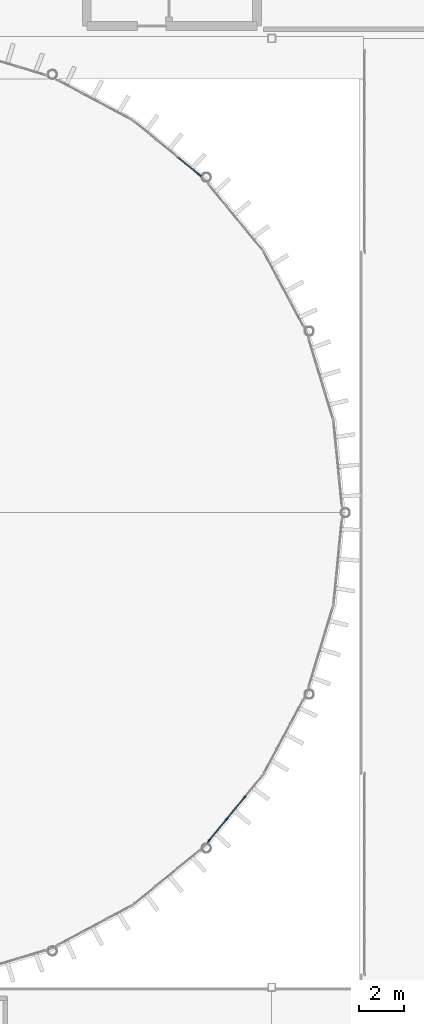
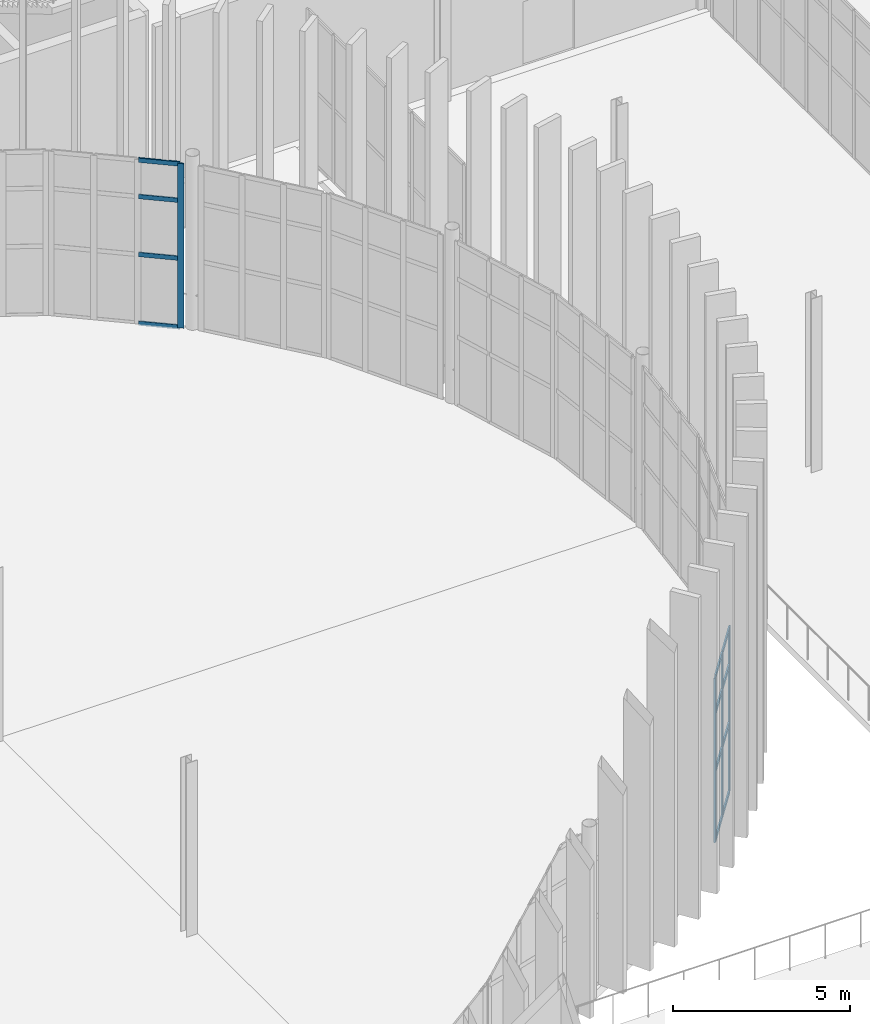
# One storey, part 56 of 139: 16 members, 2 elements without a shape of their own.
"""IFC4 building model written with IfcOpenShell, lengths in metres."""

from ifc_helpers import new_model, si_unit, direction, frame, origin, origin_2d, place, context, subcontext, project, spatial, rectangle, extrude, material, layer, layer_set, material_profile, profile_set, type_object, element, aggregate, save


model = new_model("IFC4")

# Units and contexts
model_context = context("Model", 3, precision=1e-05, world=origin(), true_north=direction((0.0, 1.0)))
body_context = subcontext(model_context, "Body", "Model", "MODEL_VIEW")
ifc_project = project(units=[si_unit("LENGTHUNIT", "METRE"), si_unit("AREAUNIT", "SQUARE_METRE"), si_unit("VOLUMEUNIT", "CUBIC_METRE"), si_unit("PLANEANGLEUNIT", "RADIAN"), si_unit("MASSUNIT", "GRAM", prefix="KILO")], contexts=[model_context])

# Site, building, storey
site_placement = place(None, origin())
site = spatial("IfcSite", under=ifc_project, at=site_placement, CompositionType="ELEMENT")
building_placement = place(site_placement, origin())
building = spatial("IfcBuilding", under=site, at=building_placement, Name="Yeouljin Market Hall", CompositionType="ELEMENT")
storey_placement = place(building_placement, origin())
storey = spatial("IfcBuildingStorey", under=building, at=storey_placement, Name="L00", CompositionType="ELEMENT", Elevation=0.0)

# Curtain wall, members
ifc_material_1 = material(Name="Thermally Broken Aluminium", Category="aluminium")
ifc_layer = layer(ifc_material_1, 0.179931640625)
ifc_layer_set = layer_set([ifc_layer], Name="Thermally Broken Aluminium")
curtain_wall_type = type_object("IfcCurtainWallType", Name="CW_ApseCurved_System", PredefinedType="USERDEFINED", material=ifc_layer_set)
curtain_wall_1_placement = place(storey_placement, origin())
curtain_wall_1 = element("IfcCurtainWall", 1, at=curtain_wall_1_placement, inside=storey, type_object=curtain_wall_type, Name="Curtain wall CW-AP-EL00-05", ObjectType="CURTAIN WALL", PredefinedType="USERDEFINED")
ifc_material_2 = material(Name="Thermally Broken Aluminium", Category="aluminium")
ifc_material_profile_1 = material_profile(ifc_material_2, rectangle(XDim=0.048095703125, YDim=0.179931640625, at=origin_2d()), Name="CW-MULL-48x180")
ifc_profile_set_1 = profile_set([ifc_material_profile_1], Name="Thermally Broken Aluminium")
member_type_1 = type_object("IfcMemberType", Name="CWMullion_48x180", PredefinedType="MULLION", material=ifc_profile_set_1)
member_1_placement = place(storey_placement, frame((157.537841796875, 44.396484375, 0.0), z_axis=(0.0, 0.0, 1.0), x_axis=(0.773017717982, -0.634384432096, 0.0)))
member_1 = element("IfcMember", 2, at=member_1_placement, type_object=member_type_1, Name="CW-03 mullion 2", PredefinedType="MULLION", context=body_context, shape_type="SweptSolid", body=[
    extrude(rectangle(XDim=0.048095703125, YDim=0.179931640625, at=origin_2d()), origin(), (0.0, 0.0, 1.0), 5.679931640625),
])
member_2_placement = place(storey_placement, frame((156.739990234375, 43.42431640625, 0.0), z_axis=(0.0, 0.0, 1.0), x_axis=(0.773017717982, -0.634384432096, 0.0)))
member_2 = element("IfcMember", 3, at=member_2_placement, type_object=member_type_1, Name="CW-03 mullion 3", PredefinedType="MULLION", context=body_context, shape_type="SweptSolid", body=[
    extrude(rectangle(XDim=0.048095703125, YDim=0.179931640625, at=origin_2d()), origin(), (0.0, 0.0, 1.0), 5.679931640625),
])
member_3_placement = place(storey_placement, frame((155.957275390625, 42.470458984375, 0.0), z_axis=(0.0, 0.0, 1.0), x_axis=(0.773017717982, -0.634384432096, 0.0)))
member_3 = element("IfcMember", 4, at=member_3_placement, type_object=member_type_1, Name="CW-03 mullion 4", PredefinedType="MULLION", context=body_context, shape_type="SweptSolid", body=[
    extrude(rectangle(XDim=0.048095703125, YDim=0.179931640625, at=origin_2d()), origin(), (0.0, 0.0, 1.0), 5.679931640625),
])

# Curtain wall, member
curtain_wall_2_placement = place(storey_placement, origin())
curtain_wall_2 = element("IfcCurtainWall", 5, at=curtain_wall_2_placement, inside=storey, type_object=curtain_wall_type, Name="Curtain wall CW-AP-EL00-13", ObjectType="CURTAIN WALL", PredefinedType="USERDEFINED")
member_4_placement = place(storey_placement, frame((155.529541015625, 71.957275390625, 0.0), z_axis=(0.0, 0.0, 1.0), x_axis=(0.634384432096, 0.773017717982, 0.0)))
member_4 = element("IfcMember", 6, at=member_4_placement, type_object=member_type_1, Name="CW-03 mullion 4", PredefinedType="MULLION", context=body_context, shape_type="SweptSolid", body=[
    extrude(rectangle(XDim=0.048095703125, YDim=0.179931640625, at=origin_2d()), origin(), (0.0, 0.0, 1.0), 5.679931640625),
])

# Member
ifc_material_3 = material(Name="Thermally Broken Aluminium", Category="aluminium")
ifc_material_profile_2 = material_profile(ifc_material_3, rectangle(XDim=0.048095703125, YDim=0.14990234375, at=origin_2d()), Name="CW-TRAN-48x150")
ifc_profile_set_2 = profile_set([ifc_material_profile_2], Name="Thermally Broken Aluminium")
member_type_2 = type_object("IfcMemberType", Name="CWTransom_48x150", PredefinedType="USERDEFINED", material=ifc_profile_set_2)
member_5_placement = place(storey_placement, frame((157.5224609375, 44.3779296875, 0.02392578125), z_axis=(-0.634369190557, -0.773030225846, 0.0), x_axis=(0.773030225846, -0.634369190557, 0.0)))
member_5 = element("IfcMember", 7, at=member_5_placement, type_object=member_type_2, Name="CW-03 transom 2.1", ObjectType="TRANSOM", PredefinedType="USERDEFINED", context=body_context, shape_type="SweptSolid", body=[
    extrude(rectangle(XDim=0.048095703125, YDim=0.14990234375, at=origin_2d()), origin(), (0.0, 0.0, 1.0), 1.209716796875),
])

member_6_placement = place(storey_placement, frame((157.5224609375, 44.3779296875, 2.39990234375), z_axis=(-0.634369190557, -0.773030225846, 0.0), x_axis=(0.773030225846, -0.634369190557, 0.0)))
member_6 = element("IfcMember", 8, at=member_6_placement, type_object=member_type_2, Name="CW-03 transom 2.2", ObjectType="TRANSOM", PredefinedType="USERDEFINED", context=body_context, shape_type="SweptSolid", body=[
    extrude(rectangle(XDim=0.048095703125, YDim=0.14990234375, at=origin_2d()), origin(), (0.0, 0.0, 1.0), 1.209716796875),
])

member_7_placement = place(storey_placement, frame((157.5224609375, 44.3779296875, 4.39990234375), z_axis=(-0.634369190557, -0.773030225846, 0.0), x_axis=(0.773030225846, -0.634369190557, 0.0)))
member_7 = element("IfcMember", 9, at=member_7_placement, type_object=member_type_2, Name="CW-03 transom 2.3", ObjectType="TRANSOM", PredefinedType="USERDEFINED", context=body_context, shape_type="SweptSolid", body=[
    extrude(rectangle(XDim=0.048095703125, YDim=0.14990234375, at=origin_2d()), origin(), (0.0, 0.0, 1.0), 1.209716796875),
])

member_8_placement = place(storey_placement, frame((157.5224609375, 44.3779296875, 5.656005859375), z_axis=(-0.634369190557, -0.773030225846, 0.0), x_axis=(0.773030225846, -0.634369190557, 0.0)))
member_8 = element("IfcMember", 10, at=member_8_placement, type_object=member_type_2, Name="CW-03 transom 2.4", ObjectType="TRANSOM", PredefinedType="USERDEFINED", context=body_context, shape_type="SweptSolid", body=[
    extrude(rectangle(XDim=0.048095703125, YDim=0.14990234375, at=origin_2d()), origin(), (0.0, 0.0, 1.0), 1.209716796875),
])

member_9_placement = place(storey_placement, frame((156.724609375, 43.40576171875, 0.02392578125), z_axis=(-0.634313456748, -0.773075959133, 0.0), x_axis=(0.773075959133, -0.634313456748, 0.0)))
member_9 = element("IfcMember", 11, at=member_9_placement, type_object=member_type_2, Name="CW-03 transom 3.1", ObjectType="TRANSOM", PredefinedType="USERDEFINED", context=body_context, shape_type="SweptSolid", body=[
    extrude(rectangle(XDim=0.048095703125, YDim=0.14990234375, at=origin_2d()), origin(), (0.0, 0.0, 1.0), 1.185791015625),
])

member_10_placement = place(storey_placement, frame((156.724609375, 43.40576171875, 2.39990234375), z_axis=(-0.634313456748, -0.773075959133, 0.0), x_axis=(0.773075959133, -0.634313456748, 0.0)))
member_10 = element("IfcMember", 12, at=member_10_placement, type_object=member_type_2, Name="CW-03 transom 3.2", ObjectType="TRANSOM", PredefinedType="USERDEFINED", context=body_context, shape_type="SweptSolid", body=[
    extrude(rectangle(XDim=0.048095703125, YDim=0.14990234375, at=origin_2d()), origin(), (0.0, 0.0, 1.0), 1.185791015625),
])

member_11_placement = place(storey_placement, frame((156.724609375, 43.40576171875, 4.39990234375), z_axis=(-0.634313456748, -0.773075959133, 0.0), x_axis=(0.773075959133, -0.634313456748, 0.0)))
member_11 = element("IfcMember", 13, at=member_11_placement, type_object=member_type_2, Name="CW-03 transom 3.3", ObjectType="TRANSOM", PredefinedType="USERDEFINED", context=body_context, shape_type="SweptSolid", body=[
    extrude(rectangle(XDim=0.048095703125, YDim=0.14990234375, at=origin_2d()), origin(), (0.0, 0.0, 1.0), 1.185791015625),
])

member_12_placement = place(storey_placement, frame((156.724609375, 43.40576171875, 5.656005859375), z_axis=(-0.634313456748, -0.773075959133, 0.0), x_axis=(0.773075959133, -0.634313456748, 0.0)))
member_12 = element("IfcMember", 14, at=member_12_placement, type_object=member_type_2, Name="CW-03 transom 3.4", ObjectType="TRANSOM", PredefinedType="USERDEFINED", context=body_context, shape_type="SweptSolid", body=[
    extrude(rectangle(XDim=0.048095703125, YDim=0.14990234375, at=origin_2d()), origin(), (0.0, 0.0, 1.0), 1.185791015625),
])

aggregate(curtain_wall_1, [member_1, member_2, member_3, member_5, member_6, member_7, member_8, member_9, member_10, member_11, member_12])

member_13_placement = place(storey_placement, frame((154.59423828125, 72.724609375, 0.02392578125), z_axis=(0.773075959133, -0.634313456748, 0.0), x_axis=(0.634313456748, 0.773075959133, 0.0)))
member_13 = element("IfcMember", 15, at=member_13_placement, type_object=member_type_2, Name="CW-03 transom 3.1", ObjectType="TRANSOM", PredefinedType="USERDEFINED", context=body_context, shape_type="SweptSolid", body=[
    extrude(rectangle(XDim=0.048095703125, YDim=0.14990234375, at=origin_2d()), origin(), (0.0, 0.0, 1.0), 1.185791015625),
])

member_14_placement = place(storey_placement, frame((154.59423828125, 72.724609375, 2.39990234375), z_axis=(0.773075959133, -0.634313456748, 0.0), x_axis=(0.634313456748, 0.773075959133, 0.0)))
member_14 = element("IfcMember", 16, at=member_14_placement, type_object=member_type_2, Name="CW-03 transom 3.2", ObjectType="TRANSOM", PredefinedType="USERDEFINED", context=body_context, shape_type="SweptSolid", body=[
    extrude(rectangle(XDim=0.048095703125, YDim=0.14990234375, at=origin_2d()), origin(), (0.0, 0.0, 1.0), 1.185791015625),
])

member_15_placement = place(storey_placement, frame((154.59423828125, 72.724609375, 4.39990234375), z_axis=(0.773075959133, -0.634313456748, 0.0), x_axis=(0.634313456748, 0.773075959133, 0.0)))
member_15 = element("IfcMember", 17, at=member_15_placement, type_object=member_type_2, Name="CW-03 transom 3.3", ObjectType="TRANSOM", PredefinedType="USERDEFINED", context=body_context, shape_type="SweptSolid", body=[
    extrude(rectangle(XDim=0.048095703125, YDim=0.14990234375, at=origin_2d()), origin(), (0.0, 0.0, 1.0), 1.185791015625),
])

member_16_placement = place(storey_placement, frame((154.59423828125, 72.724609375, 5.656005859375), z_axis=(0.773075959133, -0.634313456748, 0.0), x_axis=(0.634313456748, 0.773075959133, 0.0)))
member_16 = element("IfcMember", 18, at=member_16_placement, type_object=member_type_2, Name="CW-03 transom 3.4", ObjectType="TRANSOM", PredefinedType="USERDEFINED", context=body_context, shape_type="SweptSolid", body=[
    extrude(rectangle(XDim=0.048095703125, YDim=0.14990234375, at=origin_2d()), origin(), (0.0, 0.0, 1.0), 1.185791015625),
])

aggregate(curtain_wall_2, [member_4, member_13, member_14, member_15, member_16])

save(model, "model.ifc")
